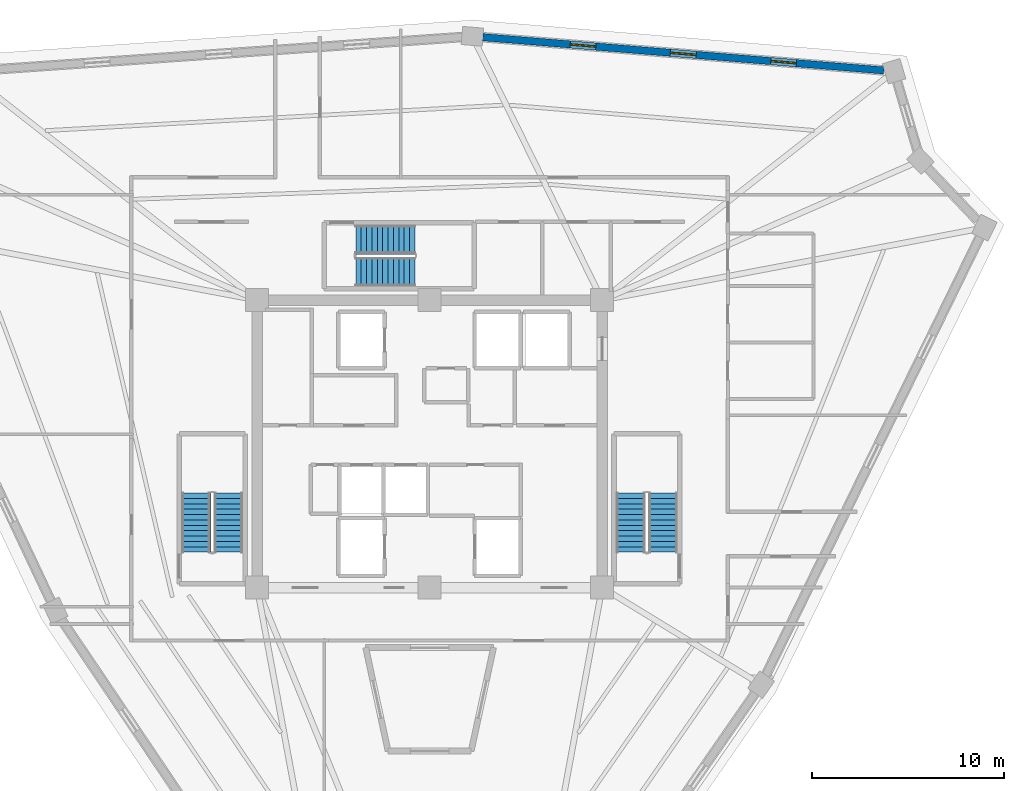
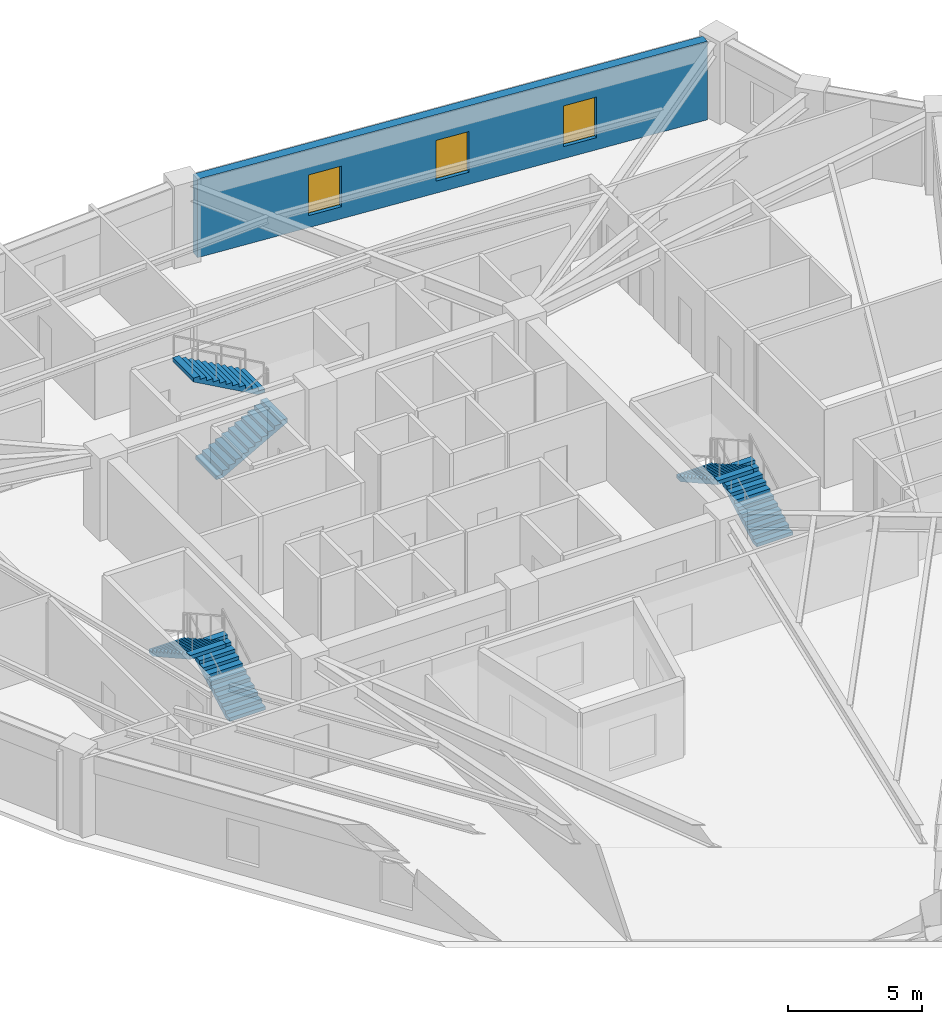
# One storey, part 7 of 10: 6 stair flights, 3 windows, 1 wall, 3 openings, 3 elements without a shape of their own.
"""IFC4 building model written with IfcOpenShell, lengths in metres."""

from ifc_helpers import new_model, si_unit, direction, frame, frame_2d, origin, place, context, subcontext, project, spatial, polyline, rectangle, outline, extrude, source, transform, mapped, material, layer, layer_set, type_object, element, fill, aggregate, save


model = new_model("IFC4")

# Units and contexts
model_context = context("Model", 3, precision=1e-05, world=origin(), true_north=direction((0.0, 1.0)))
body_context = subcontext(model_context, "Body", "Model", "MODEL_VIEW")
ifc_project = project(units=[si_unit("LENGTHUNIT", "METRE"), si_unit("AREAUNIT", "SQUARE_METRE"), si_unit("VOLUMEUNIT", "CUBIC_METRE"), si_unit("PLANEANGLEUNIT", "RADIAN"), si_unit("MASSUNIT", "GRAM", prefix="KILO")], contexts=[model_context])

# Site, building, storey
site_placement = place(None, origin())
site = spatial("IfcSite", under=ifc_project, at=site_placement, CompositionType="ELEMENT")
building_placement = place(site_placement, origin())
building = spatial("IfcBuilding", under=site, at=building_placement, Name="Liaohun Quay Tower", CompositionType="ELEMENT")
storey_placement = place(building_placement, frame((0.0, 0.0, 339.75)))
storey = spatial("IfcBuildingStorey", under=building, at=storey_placement, Name="L88", CompositionType="ELEMENT", Elevation=339.75)

# Wall, openings, windows
ifc_material_1 = material(Name="Precast concrete C50 insulated sandwich", Category="concrete")
ifc_layer = layer(ifc_material_1, 0.3798828125, Name="Precast concrete C50 insulated sandwich", Category="concrete")
ifc_layer_set = layer_set([ifc_layer], Name="Precast concrete C50 insulated sandwich")
wall_type = type_object("IfcWallType", Name="WAL-EXT-Z34", PredefinedType="SOLIDWALL", material=ifc_layer_set)
wall_placement = place(storey_placement, frame((83.697021484375, 73.48291015625, 0.0), z_axis=(0.0, 0.0, 1.0), x_axis=(-0.996579754875, 0.082636506293, 0.0)))
wall = element("IfcWall", 1, at=wall_placement, inside=storey, type_object=wall_type, Name="L88 Brutalist Precast Pier Wall 06", PredefinedType="SOLIDWALL", context=body_context, shape_type="SweptSolid", body=[
    extrude(rectangle(XDim=20.996826171875, YDim=0.3798828125, at=frame_2d((10.49853515625, 0.0))), origin(), (0.0, 0.0, 1.0), 3.570068359375),
])
shared_shape_1 = source(origin(), body_context, "Body", "SweptSolid", [
    extrude(rectangle(XDim=1.35009765625, YDim=1.85009765625, at=frame_2d((0.675048828125, 0.925048828125))), frame((0.0, 0.199951171875, 0.0), z_axis=(0.0, -1.0, 0.0), x_axis=(1.0, 0.0, 0.0)), (0.0, 0.0, 1.0), 0.39990234375),
])
opening_1_placement = place(wall_placement, frame((4.573974609375, 0.0, 0.550048828125)))
opening_1 = element("IfcOpeningElement", 2, at=opening_1_placement, cuts=wall, Name="Opening W04", PredefinedType="OPENING", context=body_context, shape_type="MappedRepresentation", body=[
    mapped(shared_shape_1, transform((0.0, 0.0, 0.0), x_axis=(1.0, 0.0, 0.0), y_axis=(0.0, 1.0, 0.0), z_axis=(0.0, 0.0, 1.0), scale=1.0)),
])
opening_2_placement = place(wall_placement, frame((9.822998046875, 0.0, 0.550048828125)))
opening_2 = element("IfcOpeningElement", 3, at=opening_2_placement, cuts=wall, Name="Opening W04", PredefinedType="OPENING", context=body_context, shape_type="MappedRepresentation", body=[
    mapped(shared_shape_1, transform((0.0, 0.0, 0.0), x_axis=(1.0, 0.0, 0.0), y_axis=(0.0, 1.0, 0.0), z_axis=(0.0, 0.0, 1.0), scale=1.0)),
])
opening_3_placement = place(wall_placement, frame((15.072998046875, 0.0, 0.550048828125)))
opening_3 = element("IfcOpeningElement", 4, at=opening_3_placement, cuts=wall, Name="Opening W04", PredefinedType="OPENING", context=body_context, shape_type="MappedRepresentation", body=[
    mapped(shared_shape_1, transform((0.0, 0.0, 0.0), x_axis=(1.0, 0.0, 0.0), y_axis=(0.0, 1.0, 0.0), z_axis=(0.0, 0.0, 1.0), scale=1.0)),
])
ifc_material_2 = material(Name="Triple Low-E argon glazing in thermally broken aluminium", Category="aluminium")
window_type = type_object("IfcWindowType", Name="WIN-PUN-Z4", PartitioningType="SINGLE_PANEL", PredefinedType="WINDOW", material=ifc_material_2)
shared_shape_2 = source(origin(), body_context, "Body", "SweptSolid", [
    extrude(rectangle(XDim=1.35009765625, YDim=1.85009765625, at=frame_2d((0.675048828125, 0.925048828125))), frame((0.0, 0.030029296875, 0.0), z_axis=(0.0, -1.0, 0.0), x_axis=(1.0, 0.0, 0.0)), (0.0, 0.0, 1.0), 0.06005859375),
])
window_1_placement = place(opening_1_placement, origin())
window_1 = element("IfcWindow", 5, at=window_1_placement, inside=storey, type_object=window_type, Name="L88 Recessed Cold-Climate Punched Window 06-1", OverallHeight=1.85009765625, OverallWidth=1.35009765625, PartitioningType="SINGLE_PANEL", PredefinedType="WINDOW", context=body_context, shape_type="MappedRepresentation", body=[
    mapped(shared_shape_2, transform((0.0, 0.0, 0.0), x_axis=(1.0, 0.0, 0.0), y_axis=(0.0, 1.0, 0.0), z_axis=(0.0, 0.0, 1.0), scale=1.0)),
])
fill(opening_1, window_1)
window_2_placement = place(opening_2_placement, origin())
window_2 = element("IfcWindow", 6, at=window_2_placement, inside=storey, type_object=window_type, Name="L88 Recessed Cold-Climate Punched Window 06-2", OverallHeight=1.85009765625, OverallWidth=1.35009765625, PartitioningType="SINGLE_PANEL", PredefinedType="WINDOW", context=body_context, shape_type="MappedRepresentation", body=[
    mapped(shared_shape_2, transform((0.0, 0.0, 0.0), x_axis=(1.0, 0.0, 0.0), y_axis=(0.0, 1.0, 0.0), z_axis=(0.0, 0.0, 1.0), scale=1.0)),
])
fill(opening_2, window_2)
window_3_placement = place(opening_3_placement, origin())
window_3 = element("IfcWindow", 7, at=window_3_placement, inside=storey, type_object=window_type, Name="L88 Recessed Cold-Climate Punched Window 06-3", OverallHeight=1.85009765625, OverallWidth=1.35009765625, PartitioningType="SINGLE_PANEL", PredefinedType="WINDOW", context=body_context, shape_type="MappedRepresentation", body=[
    mapped(shared_shape_2, transform((0.0, 0.0, 0.0), x_axis=(1.0, 0.0, 0.0), y_axis=(0.0, 1.0, 0.0), z_axis=(0.0, 0.0, 1.0), scale=1.0)),
])
fill(opening_3, window_3)

# Stair, stair flights
ifc_material_3 = material(Name="Concrete C45", Category="concrete")
stair_type = type_object("IfcStairType", Name="STR-CORE-OFF", PredefinedType="HALF_TURN_STAIR", material=ifc_material_3)
stair_1_placement = place(storey_placement, origin())
stair_1 = element("IfcStair", 8, at=stair_1_placement, inside=storey, type_object=stair_type, Name="L88 Smokeproof Core Exit Stair ST-1", PredefinedType="HALF_TURN_STAIR")
stair_flight_type = type_object("IfcStairFlightType", Name="FLT-CORE-155", PredefinedType="STRAIGHT", material=ifc_material_3)
stair_flight_1_placement = place(storey_placement, frame((49.5048828125, 48.35009765625, 0.0), z_axis=(0.0, 0.0, 1.0), x_axis=(0.0, 1.0, 0.0)))
stair_flight_1 = element("IfcStairFlight", 9, at=stair_flight_1_placement, type_object=stair_flight_type, Name="ST-1 flight 1", NumberOfRisers=12, NumberOfTreads=11, PredefinedType="STRAIGHT", RiserHeight=0.15625, TreadLength=0.28, context=body_context, shape_type="SweptSolid", body=[
    extrude(outline(polyline([(0.0, 0.0), (0.0, 0.15625), (0.280029296875, 0.15625), (0.280029296875, 0.3125), (0.56005859375, 0.3125), (0.56005859375, 0.46875), (0.840087890625, 0.46875), (0.840087890625, 0.625), (1.1201171875, 0.625), (1.1201171875, 0.78125), (1.39990234375, 0.78125), (1.39990234375, 0.9375), (1.679931640625, 0.9375), (1.679931640625, 1.09375), (1.9599609375, 1.09375), (1.9599609375, 1.25), (2.239990234375, 1.25), (2.239990234375, 1.40625), (2.52001953125, 1.40625), (2.52001953125, 1.5625), (2.800048828125, 1.5625), (2.800048828125, 1.71875), (3.080078125, 1.71875), (3.080078125, 1.875), (3.080078125, 1.547119140625), (0.3076171875, 0.0), (0.0, 0.0)])), frame((0.0, 0.77490234375, 0.0), z_axis=(0.0, -1.0, 0.0), x_axis=(1.0, 0.0, 0.0)), (0.0, 0.0, 1.0), 1.550048828125),
])
stair_flight_2_placement = place(storey_placement, frame((47.81494140625, 51.429931640625, 1.875), z_axis=(0.0, 0.0, 1.0), x_axis=(0.0, -1.0, 0.0)))
stair_flight_2 = element("IfcStairFlight", 10, at=stair_flight_2_placement, type_object=stair_flight_type, Name="ST-1 flight 2", NumberOfRisers=12, NumberOfTreads=11, PredefinedType="STRAIGHT", RiserHeight=0.15625, TreadLength=0.28, context=body_context, shape_type="SweptSolid", body=[
    extrude(outline(polyline([(0.0, 0.0), (0.0, 0.15625), (0.280029296875, 0.15625), (0.280029296875, 0.3125), (0.56005859375, 0.3125), (0.56005859375, 0.46875), (0.840087890625, 0.46875), (0.840087890625, 0.625), (1.1201171875, 0.625), (1.1201171875, 0.78125), (1.39990234375, 0.78125), (1.39990234375, 0.9375), (1.679931640625, 0.9375), (1.679931640625, 1.09375), (1.9599609375, 1.09375), (1.9599609375, 1.25), (2.239990234375, 1.25), (2.239990234375, 1.40625), (2.52001953125, 1.40625), (2.52001953125, 1.5625), (2.800048828125, 1.5625), (2.800048828125, 1.71875), (3.080078125, 1.71875), (3.080078125, 1.875), (3.080078125, 1.547119140625), (0.3076171875, 0.0), (0.0, 0.0)])), frame((0.0, 0.77490234375, 0.0), z_axis=(0.0, -1.0, 0.0), x_axis=(1.0, 0.0, 0.0)), (0.0, 0.0, 1.0), 1.550048828125),
])
aggregate(stair_1, [stair_flight_1, stair_flight_2])

stair_2_placement = place(storey_placement, origin())
stair_2 = element("IfcStair", 11, at=stair_2_placement, inside=storey, type_object=stair_type, Name="L88 Smokeproof Core Exit Stair ST-2", PredefinedType="HALF_TURN_STAIR")
stair_flight_3_placement = place(storey_placement, frame((72.18505859375, 48.35009765625, 0.0), z_axis=(0.0, 0.0, 1.0), x_axis=(0.0, 1.0, 0.0)))
stair_flight_3 = element("IfcStairFlight", 12, at=stair_flight_3_placement, type_object=stair_flight_type, Name="ST-2 flight 1", NumberOfRisers=12, NumberOfTreads=11, PredefinedType="STRAIGHT", RiserHeight=0.15625, TreadLength=0.28, context=body_context, shape_type="SweptSolid", body=[
    extrude(outline(polyline([(0.0, 0.0), (0.0, 0.15625), (0.280029296875, 0.15625), (0.280029296875, 0.3125), (0.56005859375, 0.3125), (0.56005859375, 0.46875), (0.840087890625, 0.46875), (0.840087890625, 0.625), (1.1201171875, 0.625), (1.1201171875, 0.78125), (1.39990234375, 0.78125), (1.39990234375, 0.9375), (1.679931640625, 0.9375), (1.679931640625, 1.09375), (1.9599609375, 1.09375), (1.9599609375, 1.25), (2.239990234375, 1.25), (2.239990234375, 1.40625), (2.52001953125, 1.40625), (2.52001953125, 1.5625), (2.800048828125, 1.5625), (2.800048828125, 1.71875), (3.080078125, 1.71875), (3.080078125, 1.875), (3.080078125, 1.547119140625), (0.3076171875, 0.0), (0.0, 0.0)])), frame((0.0, 0.77490234375, 0.0), z_axis=(0.0, -1.0, 0.0), x_axis=(1.0, 0.0, 0.0)), (0.0, 0.0, 1.0), 1.550048828125),
])
stair_flight_4_placement = place(storey_placement, frame((70.4951171875, 51.429931640625, 1.875), z_axis=(0.0, 0.0, 1.0), x_axis=(0.0, -1.0, 0.0)))
stair_flight_4 = element("IfcStairFlight", 13, at=stair_flight_4_placement, type_object=stair_flight_type, Name="ST-2 flight 2", NumberOfRisers=12, NumberOfTreads=11, PredefinedType="STRAIGHT", RiserHeight=0.15625, TreadLength=0.28, context=body_context, shape_type="SweptSolid", body=[
    extrude(outline(polyline([(0.0, 0.0), (0.0, 0.15625), (0.280029296875, 0.15625), (0.280029296875, 0.3125), (0.56005859375, 0.3125), (0.56005859375, 0.46875), (0.840087890625, 0.46875), (0.840087890625, 0.625), (1.1201171875, 0.625), (1.1201171875, 0.78125), (1.39990234375, 0.78125), (1.39990234375, 0.9375), (1.679931640625, 0.9375), (1.679931640625, 1.09375), (1.9599609375, 1.09375), (1.9599609375, 1.25), (2.239990234375, 1.25), (2.239990234375, 1.40625), (2.52001953125, 1.40625), (2.52001953125, 1.5625), (2.800048828125, 1.5625), (2.800048828125, 1.71875), (3.080078125, 1.71875), (3.080078125, 1.875), (3.080078125, 1.547119140625), (0.3076171875, 0.0), (0.0, 0.0)])), frame((0.0, 0.77490234375, 0.0), z_axis=(0.0, -1.0, 0.0), x_axis=(1.0, 0.0, 0.0)), (0.0, 0.0, 1.0), 1.550048828125),
])
aggregate(stair_2, [stair_flight_3, stair_flight_4])

stair_3_placement = place(storey_placement, origin())
stair_3 = element("IfcStair", 14, at=stair_3_placement, inside=storey, type_object=stair_type, Name="L88 Smokeproof Core Exit Stair ST-3", PredefinedType="HALF_TURN_STAIR")
stair_flight_5_placement = place(storey_placement, frame((56.14990234375, 62.97509765625, 0.0), z_axis=(0.0, 0.0, 1.0), x_axis=(1.0, 0.0, 0.0)))
stair_flight_5 = element("IfcStairFlight", 15, at=stair_flight_5_placement, type_object=stair_flight_type, Name="ST-3 flight 1", NumberOfRisers=12, NumberOfTreads=11, PredefinedType="STRAIGHT", RiserHeight=0.15625, TreadLength=0.28, context=body_context, shape_type="SweptSolid", body=[
    extrude(outline(polyline([(0.0, 0.0), (0.0, 0.15625), (0.280029296875, 0.15625), (0.280029296875, 0.3125), (0.56005859375, 0.3125), (0.56005859375, 0.46875), (0.840087890625, 0.46875), (0.840087890625, 0.625), (1.1201171875, 0.625), (1.1201171875, 0.78125), (1.39990234375, 0.78125), (1.39990234375, 0.9375), (1.679931640625, 0.9375), (1.679931640625, 1.09375), (1.9599609375, 1.09375), (1.9599609375, 1.25), (2.239990234375, 1.25), (2.239990234375, 1.40625), (2.52001953125, 1.40625), (2.52001953125, 1.5625), (2.800048828125, 1.5625), (2.800048828125, 1.71875), (3.080078125, 1.71875), (3.080078125, 1.875), (3.080078125, 1.547119140625), (0.3076171875, 0.0), (0.0, 0.0)])), frame((0.0, 0.77490234375, 0.0), z_axis=(0.0, -1.0, 0.0), x_axis=(1.0, 0.0, 0.0)), (0.0, 0.0, 1.0), 1.550048828125),
])
stair_flight_6_placement = place(storey_placement, frame((59.22998046875, 64.6650390625, 1.875), z_axis=(0.0, 0.0, 1.0), x_axis=(-1.0, 0.0, 0.0)))
stair_flight_6 = element("IfcStairFlight", 16, at=stair_flight_6_placement, type_object=stair_flight_type, Name="ST-3 flight 2", NumberOfRisers=12, NumberOfTreads=11, PredefinedType="STRAIGHT", RiserHeight=0.15625, TreadLength=0.28, context=body_context, shape_type="SweptSolid", body=[
    extrude(outline(polyline([(0.0, 0.0), (0.0, 0.15625), (0.280029296875, 0.15625), (0.280029296875, 0.3125), (0.56005859375, 0.3125), (0.56005859375, 0.46875), (0.840087890625, 0.46875), (0.840087890625, 0.625), (1.1201171875, 0.625), (1.1201171875, 0.78125), (1.39990234375, 0.78125), (1.39990234375, 0.9375), (1.679931640625, 0.9375), (1.679931640625, 1.09375), (1.9599609375, 1.09375), (1.9599609375, 1.25), (2.239990234375, 1.25), (2.239990234375, 1.40625), (2.52001953125, 1.40625), (2.52001953125, 1.5625), (2.800048828125, 1.5625), (2.800048828125, 1.71875), (3.080078125, 1.71875), (3.080078125, 1.875), (3.080078125, 1.547119140625), (0.3076171875, 0.0), (0.0, 0.0)])), frame((0.0, 0.77490234375, 0.0), z_axis=(0.0, -1.0, 0.0), x_axis=(1.0, 0.0, 0.0)), (0.0, 0.0, 1.0), 1.550048828125),
])
aggregate(stair_3, [stair_flight_5, stair_flight_6])

save(model, "model.ifc")
